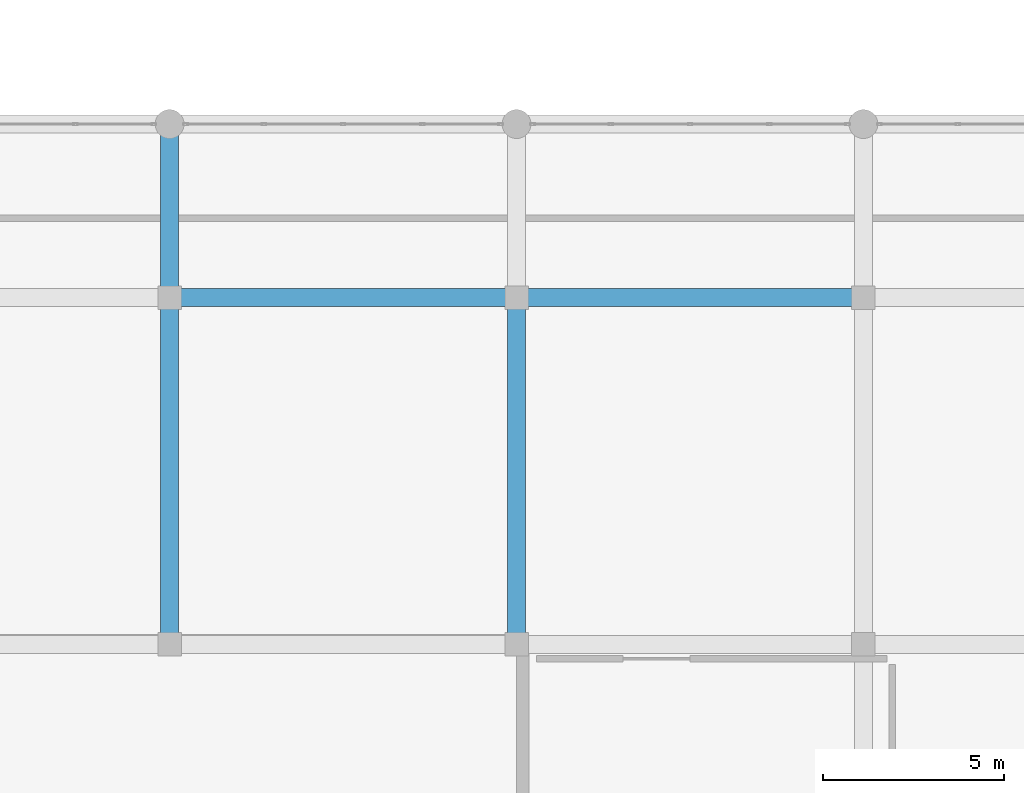
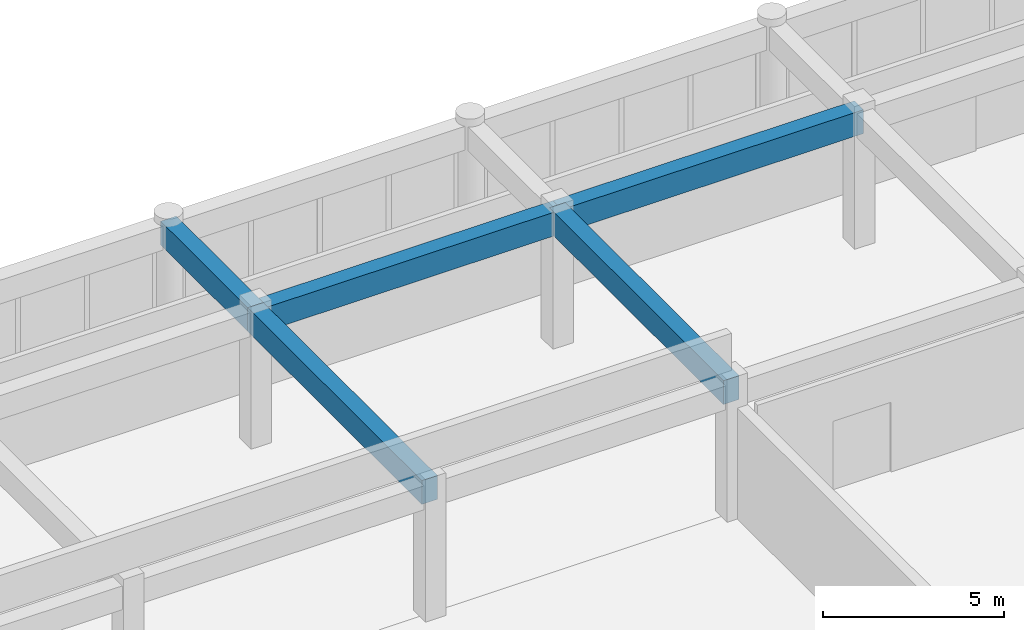
# One storey, part 10 of 101: 5 beams.
"""IFC4 building model written with IfcOpenShell, lengths in metres."""

from ifc_helpers import new_model, si_unit, direction, frame, origin, origin_2d, place, context, subcontext, project, spatial, rectangle, extrude, material, material_profile, profile_set, type_object, element, save


model = new_model("IFC4")

# Units and contexts
model_context = context("Model", 3, precision=1e-05, world=origin(), true_north=direction((0.0, 1.0)))
body_context = subcontext(model_context, "Body", "Model", "MODEL_VIEW")
ifc_project = project(units=[si_unit("LENGTHUNIT", "METRE"), si_unit("AREAUNIT", "SQUARE_METRE"), si_unit("VOLUMEUNIT", "CUBIC_METRE"), si_unit("PLANEANGLEUNIT", "RADIAN"), si_unit("MASSUNIT", "GRAM", prefix="KILO")], contexts=[model_context])

# Site, building, storey
site_placement = place(None, origin())
site = spatial("IfcSite", under=ifc_project, at=site_placement, CompositionType="ELEMENT")
building_placement = place(site_placement, origin())
building = spatial("IfcBuilding", under=site, at=building_placement, Name="Nakhvara Creek Congress Hotel", CompositionType="ELEMENT")
storey_placement = place(building_placement, frame((0.0, 0.0, 16.199951171875)))
storey = spatial("IfcBuildingStorey", under=building, at=storey_placement, Name="L03", CompositionType="ELEMENT", Elevation=16.199951171875)

# Beams
ifc_material = material(Name="Concrete C40/50", Category="concrete")
ifc_material_profile = material_profile(ifc_material, rectangle(XDim=0.5, YDim=0.800048828125, at=origin_2d()), Name="RC-BM 500x800", Category="LoadBearing")
ifc_profile_set = profile_set([ifc_material_profile], Name="Concrete C40/50")
beam_type = type_object("IfcBeamType", Name="BM-RC-500X800", PredefinedType="BEAM", material=ifc_profile_set)
beam_1_placement = place(storey_placement, frame((96.0, 28.800048828125, 4.14013671875), z_axis=(0.0, 1.0, 0.0), x_axis=(-1.0, 0.0, 0.0)))
element("IfcBeam", 1, at=beam_1_placement, inside=storey, type_object=beam_type, Name="Beam B03-L03-1727", PredefinedType="BEAM", context=body_context, shape_type="SweptSolid", body=[
    extrude(rectangle(XDim=0.5, YDim=0.800048828125, at=origin_2d()), origin(), (0.0, 0.0, 1.0), 9.599853515625),
])
beam_2_placement = place(storey_placement, frame((96.0, 38.39990234375, 4.14013671875), z_axis=(0.0, 1.0, 0.0), x_axis=(-1.0, 0.0, 0.0)))
element("IfcBeam", 2, at=beam_2_placement, inside=storey, type_object=beam_type, Name="Beam B03-L03-1729", PredefinedType="BEAM", context=body_context, shape_type="SweptSolid", body=[
    extrude(rectangle(XDim=0.5, YDim=0.800048828125, at=origin_2d()), origin(), (0.0, 0.0, 1.0), 4.800048828125),
])
beam_3_placement = place(storey_placement, frame((96.0, 38.39990234375, 4.14013671875), z_axis=(1.0, 0.0, 0.0), x_axis=(0.0, 1.0, 0.0)))
element("IfcBeam", 3, at=beam_3_placement, inside=storey, type_object=beam_type, Name="Beam B03-L03-1730", PredefinedType="BEAM", context=body_context, shape_type="SweptSolid", body=[
    extrude(rectangle(XDim=0.5, YDim=0.800048828125, at=origin_2d()), origin(), (0.0, 0.0, 1.0), 9.60009765625),
])
for number, where, z_axis, x_axis, name in (
    (4, (105.60009765625, 28.800048828125, 4.14013671875), (0.0, 1.0, 0.0), (-1.0, 0.0, 0.0), "Beam B03-L03-1740"),
    (5, (105.60009765625, 38.39990234375, 4.14013671875), (1.0, 0.0, 0.0), (0.0, 1.0, 0.0), "Beam B03-L03-1743"),
):
    element("IfcBeam", number, at=place(storey_placement, frame(where, z_axis=z_axis, x_axis=x_axis)), inside=storey, type_object=beam_type, Name=name, PredefinedType="BEAM", context=body_context, shape_type="SweptSolid", body=[
        extrude(rectangle(XDim=0.5, YDim=0.800048828125, at=origin_2d()), origin(), (0.0, 0.0, 1.0), 9.599853515625),
    ])

save(model, "model.ifc")
